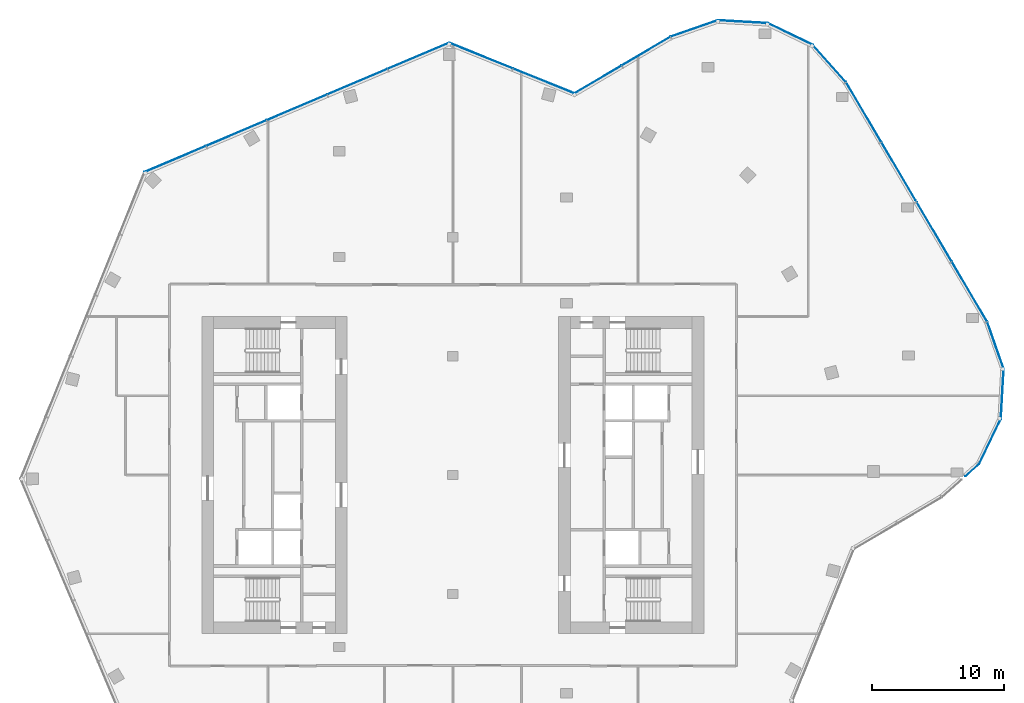
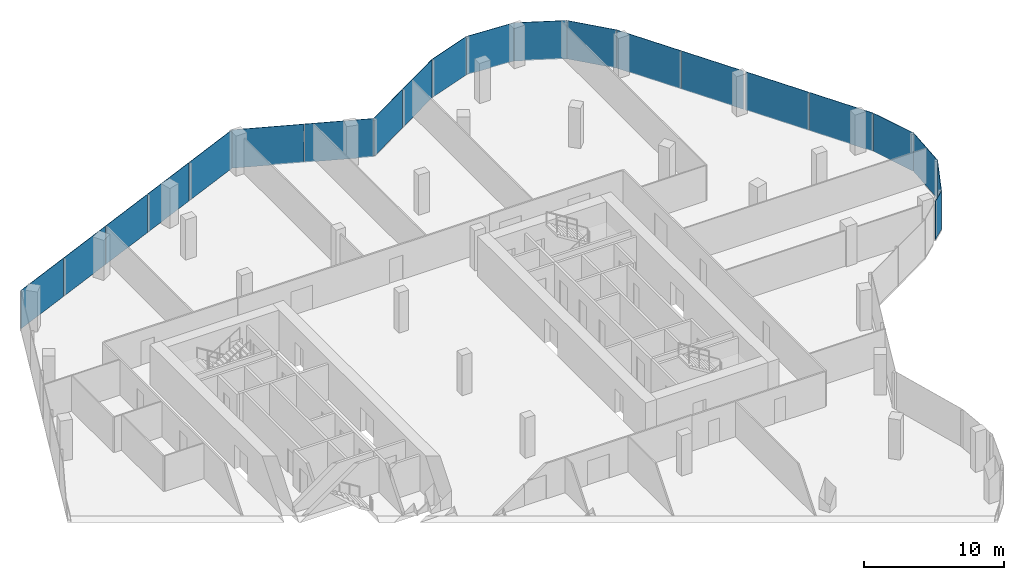
# One storey, part 11 of 16: 21 plates, 12 elements without a shape of their own.
"""IFC4 building model written with IfcOpenShell, lengths in metres."""

from ifc_helpers import new_model, si_unit, direction, frame, origin, origin_2d, place, context, subcontext, project, spatial, rectangle, extrude, material, layer, layer_set, type_object, element, aggregate, save


model = new_model("IFC4")

# Units and contexts
model_context = context("Model", 3, precision=1e-05, world=origin(), true_north=direction((0.0, 1.0)))
body_context = subcontext(model_context, "Body", "Model", "MODEL_VIEW")
ifc_project = project(units=[si_unit("LENGTHUNIT", "METRE"), si_unit("AREAUNIT", "SQUARE_METRE"), si_unit("VOLUMEUNIT", "CUBIC_METRE"), si_unit("PLANEANGLEUNIT", "RADIAN"), si_unit("MASSUNIT", "GRAM", prefix="KILO")], contexts=[model_context])

# Site, building, storey
site_placement = place(None, origin())
site = spatial("IfcSite", under=ifc_project, at=site_placement, CompositionType="ELEMENT")
building_placement = place(site_placement, origin())
building = spatial("IfcBuilding", under=site, at=building_placement, Name="Orlundy Tower", CompositionType="ELEMENT")
storey_placement = place(building_placement, frame((0.0, 0.0, 282.39990234375)))
storey = spatial("IfcBuildingStorey", under=building, at=storey_placement, Name="L75", CompositionType="ELEMENT", Elevation=282.39990234375)

# Curtain wall, plates
ifc_material_1 = material(Name="Aluminium bronze anodised", Category="aluminium")
curtain_wall_type = type_object("IfcCurtainWallType", Name="CW6 wall", PredefinedType="NOTDEFINED", material=ifc_material_1)
curtain_wall_1_placement = place(storey_placement, origin())
curtain_wall_1 = element("IfcCurtainWall", 1, at=curtain_wall_1_placement, inside=storey, type_object=curtain_wall_type, Name="CW6 run 016", PredefinedType="NOTDEFINED")
ifc_material_2 = material(Name="Tinted glass", Category="glass")
ifc_layer = layer(ifc_material_2, 0.035888671875)
ifc_layer_set = layer_set([ifc_layer], Name="CW6 glass panel 36")
plate_type = type_object("IfcPlateType", Name="CW6 glass panel 36", PredefinedType="CURTAIN_PANEL", material=ifc_layer_set)
plate_1_placement = place(storey_placement, frame((-21.013671875, 23.91259765625, -0.23974609375), z_axis=(0.0, 0.0, 1.0), x_axis=(0.920506804854, 0.390726531244, 0.0)))
plate_1 = element("IfcPlate", 2, at=plate_1_placement, type_object=plate_type, Name="CW6 panel", PredefinedType="CURTAIN_PANEL", context=body_context, shape_type="SweptSolid", body=[
    extrude(rectangle(XDim=5.03759765625, YDim=0.035888671875, at=origin_2d()), origin(), (0.0, 0.0, 1.0), 3.340087890625),
])
plate_2_placement = place(storey_placement, frame((-16.38427734375, 25.877685546875, -0.23974609375), z_axis=(0.0, 0.0, 1.0), x_axis=(0.920506804854, 0.390726531244, 0.0)))
plate_2 = element("IfcPlate", 3, at=plate_2_placement, type_object=plate_type, Name="CW6 panel", PredefinedType="CURTAIN_PANEL", context=body_context, shape_type="SweptSolid", body=[
    extrude(rectangle(XDim=4.920654296875, YDim=0.035888671875, at=origin_2d()), origin(), (0.0, 0.0, 1.0), 3.340087890625),
])
plate_3_placement = place(storey_placement, frame((-11.808837890625, 27.81982421875, -0.23974609375), z_axis=(0.0, 0.0, 1.0), x_axis=(0.920506804854, 0.390726531244, 0.0)))
plate_3 = element("IfcPlate", 4, at=plate_3_placement, type_object=plate_type, Name="CW6 panel", PredefinedType="CURTAIN_PANEL", context=body_context, shape_type="SweptSolid", body=[
    extrude(rectangle(XDim=4.920654296875, YDim=0.035888671875, at=origin_2d()), origin(), (0.0, 0.0, 1.0), 3.340087890625),
])
plate_4_placement = place(storey_placement, frame((-7.233154296875, 29.761962890625, -0.23974609375), z_axis=(0.0, 0.0, 1.0), x_axis=(0.920506804854, 0.390726531244, 0.0)))
plate_4 = element("IfcPlate", 5, at=plate_4_placement, type_object=plate_type, Name="CW6 panel", PredefinedType="CURTAIN_PANEL", context=body_context, shape_type="SweptSolid", body=[
    extrude(rectangle(XDim=4.920654296875, YDim=0.035888671875, at=origin_2d()), origin(), (0.0, 0.0, 1.0), 3.340087890625),
])
plate_5_placement = place(storey_placement, frame((-2.603759765625, 31.72705078125, -0.23974609375), z_axis=(0.0, 0.0, 1.0), x_axis=(0.920506804854, 0.390726531244, 0.0)))
plate_5 = element("IfcPlate", 6, at=plate_5_placement, type_object=plate_type, Name="CW6 panel", PredefinedType="CURTAIN_PANEL", context=body_context, shape_type="SweptSolid", body=[
    extrude(rectangle(XDim=5.03759765625, YDim=0.035888671875, at=origin_2d()), origin(), (0.0, 0.0, 1.0), 3.340087890625),
])
aggregate(curtain_wall_1, [plate_1, plate_2, plate_3, plate_4, plate_5])

curtain_wall_2_placement = place(storey_placement, origin())
curtain_wall_2 = element("IfcCurtainWall", 7, at=curtain_wall_2_placement, inside=storey, type_object=curtain_wall_type, Name="CW6 run 017", PredefinedType="NOTDEFINED")
plate_6_placement = place(storey_placement, frame((2.11865234375, 31.739990234375, -0.23974609375), z_axis=(0.0, 0.0, 1.0), x_axis=(0.927170719858, -0.374639101319, 0.0)))
plate_6 = element("IfcPlate", 8, at=plate_6_placement, type_object=plate_type, Name="CW6 panel", PredefinedType="CURTAIN_PANEL", context=body_context, shape_type="SweptSolid", body=[
    extrude(rectangle(XDim=5.185302734375, YDim=0.035888671875, at=origin_2d()), origin(), (0.0, 0.0, 1.0), 3.340087890625),
])
plate_7_placement = place(storey_placement, frame((6.879150390625, 29.81640625, -0.23974609375), z_axis=(0.0, 0.0, 1.0), x_axis=(0.927170719858, -0.374639101319, 0.0)))
plate_7 = element("IfcPlate", 9, at=plate_7_placement, type_object=plate_type, Name="CW6 panel", PredefinedType="CURTAIN_PANEL", context=body_context, shape_type="SweptSolid", body=[
    extrude(rectangle(XDim=4.98388671875, YDim=0.035888671875, at=origin_2d()), origin(), (0.0, 0.0, 1.0), 3.340087890625),
])
aggregate(curtain_wall_2, [plate_6, plate_7])

curtain_wall_3_placement = place(storey_placement, origin())
curtain_wall_3 = element("IfcCurtainWall", 10, at=curtain_wall_3_placement, inside=storey, type_object=curtain_wall_type, Name="CW6 run 018", PredefinedType="NOTDEFINED")
plate_8_placement = place(storey_placement, frame((10.9697265625, 29.93115234375, -0.23974609375), z_axis=(0.0, 0.0, 1.0), x_axis=(0.861662932394, 0.5074810252, 0.0)))
plate_8 = element("IfcPlate", 11, at=plate_8_placement, type_object=plate_type, Name="CW6 panel", PredefinedType="CURTAIN_PANEL", context=body_context, shape_type="SweptSolid", body=[
    extrude(rectangle(XDim=4.131591796875, YDim=0.035888671875, at=origin_2d()), origin(), (0.0, 0.0, 1.0), 3.340087890625),
])
plate_9_placement = place(storey_placement, frame((14.61865234375, 32.080322265625, -0.23974609375), z_axis=(0.0, 0.0, 1.0), x_axis=(0.861662932394, 0.5074810252, 0.0)))
plate_9 = element("IfcPlate", 12, at=plate_9_placement, type_object=plate_type, Name="CW6 panel", PredefinedType="CURTAIN_PANEL", context=body_context, shape_type="SweptSolid", body=[
    extrude(rectangle(XDim=4.23779296875, YDim=0.035888671875, at=origin_2d()), origin(), (0.0, 0.0, 1.0), 3.340087890625),
])
aggregate(curtain_wall_3, [plate_8, plate_9])

# Curtain wall, plate
curtain_wall_4_placement = place(storey_placement, origin())
curtain_wall_4 = element("IfcCurtainWall", 13, at=curtain_wall_4_placement, inside=storey, type_object=curtain_wall_type, Name="CW6 run 019", PredefinedType="NOTDEFINED")
plate_10_placement = place(storey_placement, frame((18.2587890625, 33.79443359375, -0.23974609375), z_axis=(0.0, 0.0, 1.0), x_axis=(0.944081083956, 0.32971337085, 0.0)))
plate_10 = element("IfcPlate", 14, at=plate_10_placement, type_object=plate_type, Name="CW6 panel", PredefinedType="CURTAIN_PANEL", context=body_context, shape_type="SweptSolid", body=[
    extrude(rectangle(XDim=3.7470703125, YDim=0.035888671875, at=origin_2d()), origin(), (0.0, 0.0, 1.0), 3.340087890625),
])
aggregate(curtain_wall_4, [plate_10])

curtain_wall_5_placement = place(storey_placement, origin())
curtain_wall_5 = element("IfcCurtainWall", 15, at=curtain_wall_5_placement, inside=storey, type_object=curtain_wall_type, Name="CW6 run 020", PredefinedType="NOTDEFINED")
plate_11_placement = place(storey_placement, frame((21.922119140625, 34.3046875, -0.23974609375), z_axis=(0.0, 0.0, 1.0), x_axis=(0.998394082315, -0.056650299193, 0.0)))
plate_11 = element("IfcPlate", 16, at=plate_11_placement, type_object=plate_type, Name="CW6 panel", PredefinedType="CURTAIN_PANEL", context=body_context, shape_type="SweptSolid", body=[
    extrude(rectangle(XDim=3.795166015625, YDim=0.035888671875, at=origin_2d()), origin(), (0.0, 0.0, 1.0), 3.340087890625),
])
aggregate(curtain_wall_5, [plate_11])

curtain_wall_6_placement = place(storey_placement, origin())
curtain_wall_6 = element("IfcCurtainWall", 17, at=curtain_wall_6_placement, inside=storey, type_object=curtain_wall_type, Name="CW6 run 021", PredefinedType="NOTDEFINED")
plate_12_placement = place(storey_placement, frame((25.52587890625, 33.373046875, -0.23974609375), z_axis=(0.0, 0.0, 1.0), x_axis=(0.900755489188, -0.434326546158, 0.0)))
plate_12 = element("IfcPlate", 18, at=plate_12_placement, type_object=plate_type, Name="CW6 panel", PredefinedType="CURTAIN_PANEL", context=body_context, shape_type="SweptSolid", body=[
    extrude(rectangle(XDim=3.795166015625, YDim=0.035888671875, at=origin_2d()), origin(), (0.0, 0.0, 1.0), 3.340087890625),
])
aggregate(curtain_wall_6, [plate_12])

curtain_wall_7_placement = place(storey_placement, origin())
curtain_wall_7 = element("IfcCurtainWall", 19, at=curtain_wall_7_placement, inside=storey, type_object=curtain_wall_type, Name="CW6 run 022", PredefinedType="NOTDEFINED")
plate_13_placement = place(storey_placement, frame((28.48291015625, 31.150390625, -0.23974609375), z_axis=(0.0, 0.0, 1.0), x_axis=(0.665769138425, -0.746157794518, 0.0)))
plate_13 = element("IfcPlate", 20, at=plate_13_placement, type_object=plate_type, Name="CW6 panel", PredefinedType="CURTAIN_PANEL", context=body_context, shape_type="SweptSolid", body=[
    extrude(rectangle(XDim=3.747802734375, YDim=0.035888671875, at=origin_2d()), origin(), (0.0, 0.0, 1.0), 3.340087890625),
])
aggregate(curtain_wall_7, [plate_13])

# Curtain wall, plates
curtain_wall_8_placement = place(storey_placement, origin())
curtain_wall_8 = element("IfcCurtainWall", 21, at=curtain_wall_8_placement, inside=storey, type_object=curtain_wall_type, Name="CW6 run 023", PredefinedType="NOTDEFINED")
plate_14_placement = place(storey_placement, frame((31.0849609375, 27.46240234375, -0.23974609375), z_axis=(0.0, 0.0, 1.0), x_axis=(0.507531980737, -0.861632919827, 0.0)))
plate_14 = element("IfcPlate", 22, at=plate_14_placement, type_object=plate_type, Name="CW6 panel", PredefinedType="CURTAIN_PANEL", context=body_context, shape_type="SweptSolid", body=[
    extrude(rectangle(XDim=5.2216796875, YDim=0.035888671875, at=origin_2d()), origin(), (0.0, 0.0, 1.0), 3.340087890625),
])
plate_15_placement = place(storey_placement, frame((33.72216796875, 22.9853515625, -0.23974609375), z_axis=(0.0, 0.0, 1.0), x_axis=(0.507531980737, -0.861632919827, 0.0)))
plate_15 = element("IfcPlate", 23, at=plate_15_placement, type_object=plate_type, Name="CW6 panel", PredefinedType="CURTAIN_PANEL", context=body_context, shape_type="SweptSolid", body=[
    extrude(rectangle(XDim=5.070068359375, YDim=0.035888671875, at=origin_2d()), origin(), (0.0, 0.0, 1.0), 3.340087890625),
])
plate_16_placement = place(storey_placement, frame((36.41943359375, 18.406005859375, -0.23974609375), z_axis=(0.0, 0.0, 1.0), x_axis=(0.507531980737, -0.861632919827, 0.0)))
plate_16 = element("IfcPlate", 24, at=plate_16_placement, type_object=plate_type, Name="CW6 panel", PredefinedType="CURTAIN_PANEL", context=body_context, shape_type="SweptSolid", body=[
    extrude(rectangle(XDim=5.199951171875, YDim=0.035888671875, at=origin_2d()), origin(), (0.0, 0.0, 1.0), 3.340087890625),
])
plate_17_placement = place(storey_placement, frame((39.089599609375, 13.873046875, -0.23974609375), z_axis=(0.0, 0.0, 1.0), x_axis=(0.507531980737, -0.861632919827, 0.0)))
plate_17 = element("IfcPlate", 25, at=plate_17_placement, type_object=plate_type, Name="CW6 panel", PredefinedType="CURTAIN_PANEL", context=body_context, shape_type="SweptSolid", body=[
    extrude(rectangle(XDim=5.2216796875, YDim=0.035888671875, at=origin_2d()), origin(), (0.0, 0.0, 1.0), 3.340087890625),
])
aggregate(curtain_wall_8, [plate_14, plate_15, plate_16, plate_17])

# Curtain wall, plate
curtain_wall_9_placement = place(storey_placement, origin())
curtain_wall_9 = element("IfcCurtainWall", 26, at=curtain_wall_9_placement, inside=storey, type_object=curtain_wall_type, Name="CW6 run 024", PredefinedType="NOTDEFINED")
plate_18_placement = place(storey_placement, frame((41.053466796875, 9.809326171875, -0.23974609375), z_axis=(0.0, 0.0, 1.0), x_axis=(0.32971337085, -0.944081083956, 0.0)))
plate_18 = element("IfcPlate", 27, at=plate_18_placement, type_object=plate_type, Name="CW6 panel", PredefinedType="CURTAIN_PANEL", context=body_context, shape_type="SweptSolid", body=[
    extrude(rectangle(XDim=3.7470703125, YDim=0.035888671875, at=origin_2d()), origin(), (0.0, 0.0, 1.0), 3.340087890625),
])
aggregate(curtain_wall_9, [plate_18])

curtain_wall_10_placement = place(storey_placement, origin())
curtain_wall_10 = element("IfcCurtainWall", 28, at=curtain_wall_10_placement, inside=storey, type_object=curtain_wall_type, Name="CW6 run 025", PredefinedType="NOTDEFINED")
plate_19_placement = place(storey_placement, frame((41.563720703125, 6.14599609375, -0.23974609375), z_axis=(0.0, 0.0, 1.0), x_axis=(-0.056650299193, -0.998394082315, 0.0)))
plate_19 = element("IfcPlate", 29, at=plate_19_placement, type_object=plate_type, Name="CW6 panel", PredefinedType="CURTAIN_PANEL", context=body_context, shape_type="SweptSolid", body=[
    extrude(rectangle(XDim=3.795166015625, YDim=0.035888671875, at=origin_2d()), origin(), (0.0, 0.0, 1.0), 3.340087890625),
])
aggregate(curtain_wall_10, [plate_19])

curtain_wall_11_placement = place(storey_placement, origin())
curtain_wall_11 = element("IfcCurtainWall", 30, at=curtain_wall_11_placement, inside=storey, type_object=curtain_wall_type, Name="CW6 run 026", PredefinedType="NOTDEFINED")
plate_20_placement = place(storey_placement, frame((40.632080078125, 2.5419921875, -0.23974609375), z_axis=(0.0, 0.0, 1.0), x_axis=(-0.434326546158, -0.900755489188, 0.0)))
plate_20 = element("IfcPlate", 31, at=plate_20_placement, type_object=plate_type, Name="CW6 panel", PredefinedType="CURTAIN_PANEL", context=body_context, shape_type="SweptSolid", body=[
    extrude(rectangle(XDim=3.795166015625, YDim=0.035888671875, at=origin_2d()), origin(), (0.0, 0.0, 1.0), 3.340087890625),
])
aggregate(curtain_wall_11, [plate_20])

curtain_wall_12_placement = place(storey_placement, origin())
curtain_wall_12 = element("IfcCurtainWall", 32, at=curtain_wall_12_placement, inside=storey, type_object=curtain_wall_type, Name="CW6 run 027", PredefinedType="NOTDEFINED")
plate_21_placement = place(storey_placement, frame((39.29296875, 0.373291015625, -0.23974609375), z_axis=(0.0, 0.0, 1.0), x_axis=(-0.746157794518, -0.665769138425, 0.0)))
plate_21 = element("IfcPlate", 33, at=plate_21_placement, type_object=plate_type, Name="CW6 panel", PredefinedType="CURTAIN_PANEL", context=body_context, shape_type="SweptSolid", body=[
    extrude(rectangle(XDim=1.380126953125, YDim=0.035888671875, at=origin_2d()), origin(), (0.0, 0.0, 1.0), 3.340087890625),
])
aggregate(curtain_wall_12, [plate_21])

save(model, "model.ifc")
